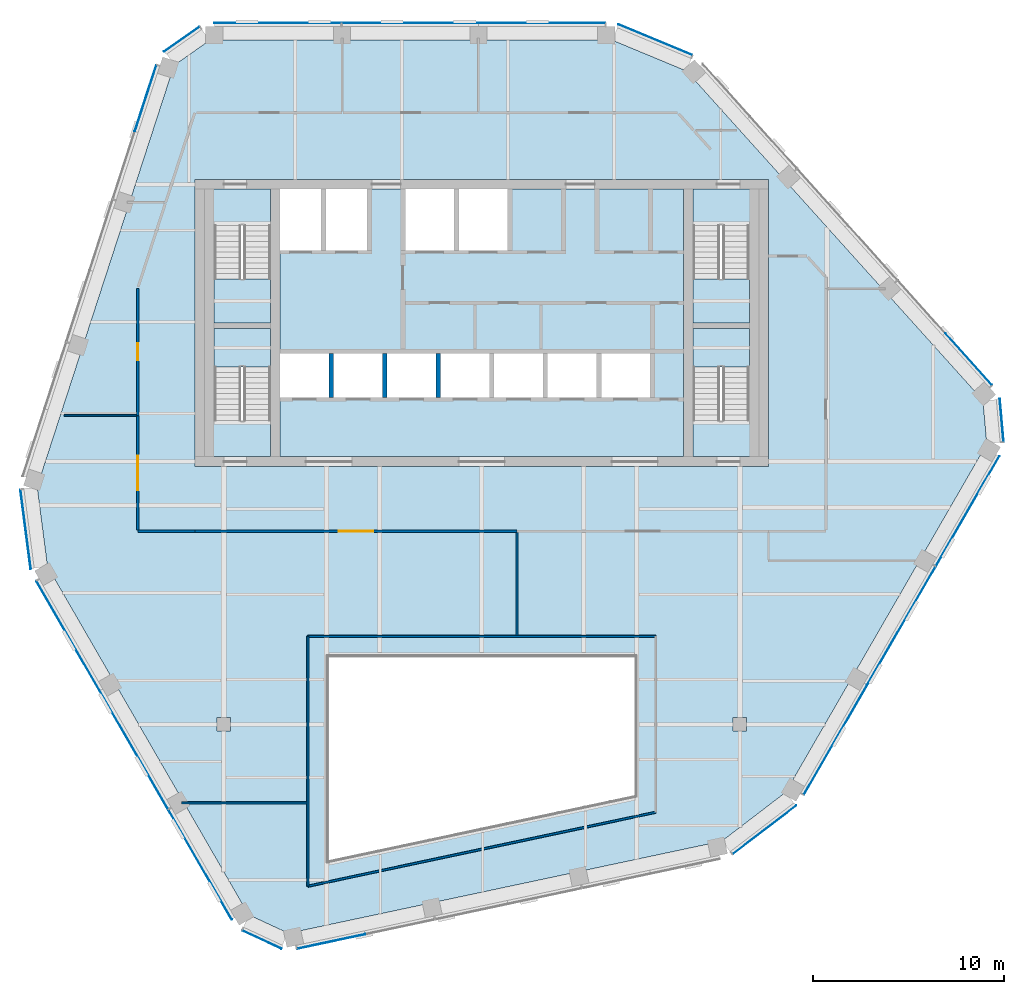
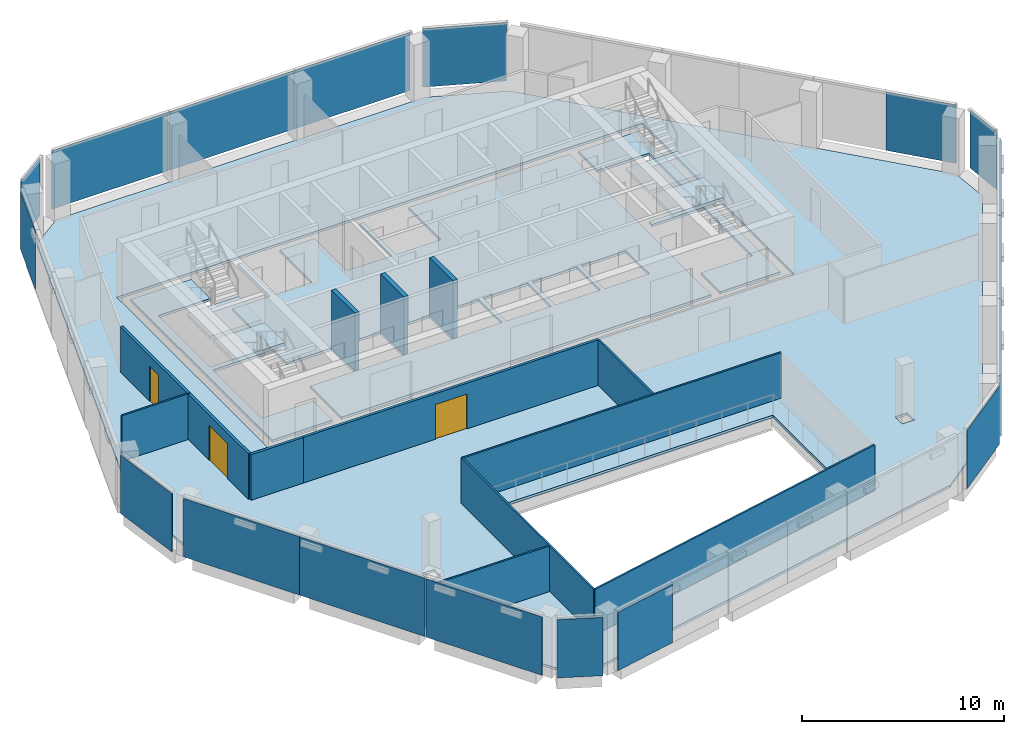
# One storey, part 7 of 15: 18 plates, 13 walls, 8 slabs, 3 doors, 3 openings, 16 elements without a shape of their own.
"""IFC4 building model written with IfcOpenShell, lengths in metres."""

from ifc_helpers import new_model, si_unit, direction, frame, frame_2d, origin, origin_2d, place, context, subcontext, project, spatial, polyline, rectangle, outline, extrude, material, layer, layer_set, type_object, element, fill, aggregate, save


model = new_model("IFC4")

# Units and contexts
model_context = context("Model", 3, precision=1e-05, world=origin(), true_north=direction((0.0, 1.0)))
body_context = subcontext(model_context, "Body", "Model", "MODEL_VIEW")
ifc_project = project(units=[si_unit("LENGTHUNIT", "METRE"), si_unit("AREAUNIT", "SQUARE_METRE"), si_unit("VOLUMEUNIT", "CUBIC_METRE"), si_unit("PLANEANGLEUNIT", "RADIAN"), si_unit("MASSUNIT", "GRAM", prefix="KILO")], contexts=[model_context])

# Site, building, storey
site_placement = place(None, origin())
site = spatial("IfcSite", under=ifc_project, at=site_placement, CompositionType="ELEMENT")
building_placement = place(site_placement, origin())
building = spatial("IfcBuilding", under=site, at=building_placement, Name="Isthmus Gate Tower", CompositionType="ELEMENT")
storey_placement = place(building_placement, frame((0.0, 0.0, 290.14990234375)))
storey = spatial("IfcBuildingStorey", under=building, at=storey_placement, Name="L74", CompositionType="ELEMENT", Elevation=290.14990234375)

# Slabs
ifc_material_1 = material(Name="Concrete f'c 40 MPa", Category="concrete")
ifc_layer_1 = layer(ifc_material_1, 0.14990234375)
ifc_layer_set_1 = layer_set([ifc_layer_1], Name="COMPOSITE FLOOR SLAB 150")
slab_type_1 = type_object("IfcSlabType", Name="COMPOSITE FLOOR SLAB 150", PredefinedType="FLOOR", material=ifc_layer_set_1)
slab_1_placement = place(storey_placement, frame((0.0, 0.0, -0.14990234375)))
element("IfcSlab", 1, at=slab_1_placement, inside=storey, type_object=slab_type_1, Name="str-slab-L74-1", PredefinedType="FLOOR", context=body_context, shape_type="SweptSolid", body=[
    extrude(outline(polyline([(10.7080078125, 20.68310546875), (26.218017578125, 3.45751953125), (26.423583984375, 1.1669921875), (15.902587890625, -17.055908203125), (12.55810546875, -19.614990234375), (-10.11474609375, -24.434326171875), (-12.201171875, -23.467041015625), (-22.72216796875, -5.243896484375), (-23.26611328125, -1.068115234375), (-16.103515625, 20.976806640625), (-14.22265625, 22.300048828125), (6.819580078125, 22.300048828125), (10.7080078125, 20.68310546875)]), holes=[polyline([(-8.0, -10.0), (-8.0, -20.611083984375), (8.0, -17.210205078125), (8.0, -10.0), (-8.0, -10.0)]), polyline([(-13.85009765625, -13.14990234375), (-13.85009765625, -13.85009765625), (-13.14990234375, -13.85009765625), (-13.14990234375, -13.14990234375), (-13.85009765625, -13.14990234375)]), polyline([(13.14990234375, -13.14990234375), (13.14990234375, -13.85009765625), (13.85009765625, -13.85009765625), (13.85009765625, -13.14990234375), (13.14990234375, -13.14990234375)]), polyline([(-15.0, 0.0), (15.0, 0.0), (15.0, 15.0), (-15.0, 15.0), (-15.0, 0.0)])]), origin(), (0.0, 0.0, 1.0), 0.14990234375),
])
ifc_material_2 = material(Name="Concrete f'c 40 MPa", Category="concrete")
ifc_layer_2 = layer(ifc_material_2, 0.14990234375)
ifc_layer_set_2 = layer_set([ifc_layer_2], Name="CORE FLOOR SLAB 150")
slab_type_2 = type_object("IfcSlabType", Name="CORE FLOOR SLAB 150", PredefinedType="FLOOR", material=ifc_layer_set_2)
slab_2_placement = place(storey_placement, frame((0.0, 0.0, -0.14990234375)))
element("IfcSlab", 2, at=slab_2_placement, inside=storey, type_object=slab_type_2, Name="L74 core floor", PredefinedType="FLOOR", context=body_context, shape_type="SweptSolid", body=[
    extrude(outline(polyline([(-11.050048828125, 0.5), (-11.050048828125, 2.402099609375), (-14.0, 2.402099609375), (-14.0, 7.199951171875), (-11.050048828125, 7.199951171875), (-11.050048828125, 7.5), (-14.0, 7.5), (-14.0, 12.597900390625), (-11.050048828125, 12.597900390625), (-11.050048828125, 14.5), (-14.5, 14.5), (-14.5, 0.5), (-11.050048828125, 0.5)])), origin(), (0.0, 0.0, 1.0), 0.14990234375),
])
slab_3_placement = place(storey_placement, frame((0.0, 0.0, -0.14990234375)))
element("IfcSlab", 3, at=slab_3_placement, inside=storey, type_object=slab_type_2, Name="L74 core floor", PredefinedType="FLOOR", context=body_context, shape_type="SweptSolid", body=[
    extrude(outline(polyline([(10.550048828125, 14.5), (1.35009765625, 14.5), (1.35009765625, 11.300048828125), (-1.199951171875, 11.300048828125), (-1.199951171875, 14.5), (-1.449951171875, 14.5), (-1.449951171875, 11.300048828125), (-4.0, 11.300048828125), (-4.0, 14.5), (-6.0, 14.5), (-6.0, 11.300048828125), (-8.14990234375, 11.300048828125), (-8.14990234375, 14.5), (-8.39990234375, 14.5), (-8.39990234375, 11.300048828125), (-10.550048828125, 11.300048828125), (-10.550048828125, 5.89990234375), (-8.0, 5.89990234375), (-8.0, 3.60009765625), (-10.550048828125, 3.60009765625), (-10.550048828125, 0.5), (10.550048828125, 0.5), (10.550048828125, 14.5)]), holes=[polyline([(-5.199951171875, 5.89990234375), (-5.199951171875, 3.60009765625), (-7.75, 3.60009765625), (-7.75, 5.89990234375), (-5.199951171875, 5.89990234375)]), polyline([(-2.39990234375, 5.89990234375), (-2.39990234375, 3.60009765625), (-4.949951171875, 3.60009765625), (-4.949951171875, 5.89990234375), (-2.39990234375, 5.89990234375)]), polyline([(0.39990234375, 5.89990234375), (0.39990234375, 3.60009765625), (-2.14990234375, 3.60009765625), (-2.14990234375, 5.89990234375), (0.39990234375, 5.89990234375)]), polyline([(3.199951171875, 5.89990234375), (3.199951171875, 3.60009765625), (0.64990234375, 3.60009765625), (0.64990234375, 5.89990234375), (3.199951171875, 5.89990234375)]), polyline([(6.0, 5.89990234375), (6.0, 3.60009765625), (3.449951171875, 3.60009765625), (3.449951171875, 5.89990234375), (6.0, 5.89990234375)]), polyline([(8.800048828125, 5.89990234375), (8.800048828125, 3.60009765625), (6.25, 3.60009765625), (6.25, 5.89990234375), (8.800048828125, 5.89990234375)])]), origin(), (0.0, 0.0, 1.0), 0.14990234375),
])
slab_4_placement = place(storey_placement, frame((0.0, 0.0, -0.14990234375)))
element("IfcSlab", 4, at=slab_4_placement, inside=storey, type_object=slab_type_2, Name="L74 core floor", PredefinedType="FLOOR", context=body_context, shape_type="SweptSolid", body=[
    extrude(outline(polyline([(11.050048828125, 14.5), (11.050048828125, 12.597900390625), (14.0, 12.597900390625), (14.0, 7.5), (11.050048828125, 7.5), (11.050048828125, 7.199951171875), (14.0, 7.199951171875), (14.0, 2.402099609375), (11.050048828125, 2.402099609375), (11.050048828125, 0.5), (14.5, 0.5), (14.5, 14.5), (11.050048828125, 14.5)])), origin(), (0.0, 0.0, 1.0), 0.14990234375),
])

# Curtain wall, plates
ifc_material_3 = material(Name="Aluminium, pale champagne anodised", Category="aluminium")
ifc_layer_3 = layer(ifc_material_3, 0.199951171875)
ifc_layer_set_3 = layer_set([ifc_layer_3], Name="CW-1 UNITISED CURTAIN WALL 200 DEEP")
curtain_wall_type = type_object("IfcCurtainWallType", Name="CW-1 UNITISED CURTAIN WALL 200 DEEP", PredefinedType="NOTDEFINED", material=ifc_layer_set_3)
curtain_wall_1_placement = place(storey_placement, origin())
curtain_wall_1 = element("IfcCurtainWall", 5, at=curtain_wall_1_placement, inside=storey, type_object=curtain_wall_type, Name="CW-1 N L74", PredefinedType="NOTDEFINED")
ifc_material_4 = material(Name="Laminated low-iron glass, pale blue tint", Category="glass")
ifc_layer_4 = layer(ifc_material_4, 0.031982421875)
ifc_layer_set_4 = layer_set([ifc_layer_4], Name="CW-1 CLEAR GLASS LITE 32")
plate_type = type_object("IfcPlateType", Name="CW-1 CLEAR GLASS LITE 32", PredefinedType="CURTAIN_PANEL", material=ifc_layer_set_4)
plate_1_placement = place(storey_placement, frame((3.13720703125, 23.18408203125, 0.0), z_axis=(0.0, 0.0, 1.0), x_axis=(-1.0, 0.0, 0.0)))
plate_1 = element("IfcPlate", 6, at=plate_1_placement, type_object=plate_type, Name="CW-1 glass lite", PredefinedType="CURTAIN_PANEL", context=body_context, shape_type="SweptSolid", body=[
    extrude(rectangle(XDim=6.62451171875, YDim=0.031982421875, at=origin_2d()), origin(), (0.0, 0.0, 1.0), 3.52001953125),
])
plate_2_placement = place(storey_placement, frame((-3.742431640625, 23.18408203125, 0.0), z_axis=(0.0, 0.0, 1.0), x_axis=(-1.0, 0.0, 0.0)))
plate_2 = element("IfcPlate", 7, at=plate_2_placement, type_object=plate_type, Name="CW-1 glass lite", PredefinedType="CURTAIN_PANEL", context=body_context, shape_type="SweptSolid", body=[
    extrude(rectangle(XDim=7.134521484375, YDim=0.031982421875, at=origin_2d()), origin(), (0.0, 0.0, 1.0), 3.52001953125),
])
plate_3_placement = place(storey_placement, frame((-10.681884765625, 23.18408203125, 0.0), z_axis=(0.0, 0.0, 1.0), x_axis=(-1.0, 0.0, 0.0)))
plate_3 = element("IfcPlate", 8, at=plate_3_placement, type_object=plate_type, Name="CW-1 glass lite", PredefinedType="CURTAIN_PANEL", context=body_context, shape_type="SweptSolid", body=[
    extrude(rectangle(XDim=6.62451171875, YDim=0.031982421875, at=origin_2d()), origin(), (0.0, 0.0, 1.0), 3.52001953125),
])
aggregate(curtain_wall_1, [plate_1, plate_2, plate_3])

# Curtain wall, plate
curtain_wall_2_placement = place(storey_placement, origin())
curtain_wall_2 = element("IfcCurtainWall", 9, at=curtain_wall_2_placement, inside=storey, type_object=curtain_wall_type, Name="CW-1 N-NW L74", PredefinedType="NOTDEFINED")
plate_4_placement = place(storey_placement, frame((-15.6953125, 22.3447265625, 0.0), z_axis=(0.0, 0.0, 1.0), x_axis=(-0.81785959165, -0.57541783805, 0.0)))
plate_4 = element("IfcPlate", 10, at=plate_4_placement, type_object=plate_type, Name="CW-1 glass lite", PredefinedType="CURTAIN_PANEL", context=body_context, shape_type="SweptSolid", body=[
    extrude(rectangle(XDim=2.258544921875, YDim=0.031982421875, at=origin_2d()), origin(), (0.0, 0.0, 1.0), 3.52001953125),
])
aggregate(curtain_wall_2, [plate_4])

curtain_wall_3_placement = place(storey_placement, origin())
curtain_wall_3 = element("IfcCurtainWall", 11, at=curtain_wall_3_placement, inside=storey, type_object=curtain_wall_type, Name="CW-1 NW L74", PredefinedType="NOTDEFINED")
plate_5_placement = place(storey_placement, frame((-17.592529296875, 19.254150390625, 0.0), z_axis=(0.0, 0.0, 1.0), x_axis=(-0.309016994375, -0.951056516295, 0.0)))
plate_5 = element("IfcPlate", 12, at=plate_5_placement, type_object=plate_type, Name="CW-1 glass lite", PredefinedType="CURTAIN_PANEL", context=body_context, shape_type="SweptSolid", body=[
    extrude(rectangle(XDim=3.643310546875, YDim=0.031982421875, at=origin_2d()), origin(), (0.0, 0.0, 1.0), 3.52001953125),
])
aggregate(curtain_wall_3, [plate_5])

curtain_wall_4_placement = place(storey_placement, origin())
curtain_wall_4 = element("IfcCurtainWall", 13, at=curtain_wall_4_placement, inside=storey, type_object=curtain_wall_type, Name="CW-1 NW-SW L74", PredefinedType="NOTDEFINED")
plate_6_placement = place(storey_placement, frame((-23.866943359375, -3.2998046875, 0.0), z_axis=(0.0, 0.0, 1.0), x_axis=(0.129164534, -0.991623175988, 0.0)))
plate_6 = element("IfcPlate", 14, at=plate_6_placement, type_object=plate_type, Name="CW-1 glass lite", PredefinedType="CURTAIN_PANEL", context=body_context, shape_type="SweptSolid", body=[
    extrude(rectangle(XDim=4.181396484375, YDim=0.031982421875, at=origin_2d()), origin(), (0.0, 0.0, 1.0), 3.52001953125),
])
aggregate(curtain_wall_4, [plate_6])

# Curtain wall, plates
curtain_wall_5_placement = place(storey_placement, origin())
curtain_wall_5 = element("IfcCurtainWall", 15, at=curtain_wall_5_placement, inside=storey, type_object=curtain_wall_type, Name="CW-1 SW L74", PredefinedType="NOTDEFINED")
plate_7_placement = place(storey_placement, frame((-21.646484375, -8.875244140625, 0.0), z_axis=(0.0, 0.0, 1.0), x_axis=(0.5, -0.866025403784, 0.0)))
plate_7 = element("IfcPlate", 16, at=plate_7_placement, type_object=plate_type, Name="CW-1 glass lite", PredefinedType="CURTAIN_PANEL", context=body_context, shape_type="SweptSolid", body=[
    extrude(rectangle(XDim=6.62451171875, YDim=0.031982421875, at=origin_2d()), origin(), (0.0, 0.0, 1.0), 3.52001953125),
])
plate_8_placement = place(storey_placement, frame((-18.206787109375, -14.8330078125, 0.0), z_axis=(0.0, 0.0, 1.0), x_axis=(0.5, -0.866025403784, 0.0)))
plate_8 = element("IfcPlate", 17, at=plate_8_placement, type_object=plate_type, Name="CW-1 glass lite", PredefinedType="CURTAIN_PANEL", context=body_context, shape_type="SweptSolid", body=[
    extrude(rectangle(XDim=7.134521484375, YDim=0.031982421875, at=origin_2d()), origin(), (0.0, 0.0, 1.0), 3.52001953125),
])
plate_9_placement = place(storey_placement, frame((-14.737060546875, -20.8427734375, 0.0), z_axis=(0.0, 0.0, 1.0), x_axis=(0.5, -0.866025403784, 0.0)))
plate_9 = element("IfcPlate", 18, at=plate_9_placement, type_object=plate_type, Name="CW-1 glass lite", PredefinedType="CURTAIN_PANEL", context=body_context, shape_type="SweptSolid", body=[
    extrude(rectangle(XDim=6.62451171875, YDim=0.031982421875, at=origin_2d()), origin(), (0.0, 0.0, 1.0), 3.52001953125),
])
aggregate(curtain_wall_5, [plate_7, plate_8, plate_9])

# Curtain wall, plate
curtain_wall_6_placement = place(storey_placement, origin())
curtain_wall_6 = element("IfcCurtainWall", 19, at=curtain_wall_6_placement, inside=storey, type_object=curtain_wall_type, Name="CW-1 SW-S L74", PredefinedType="NOTDEFINED")
plate_10_placement = place(storey_placement, frame((-11.50341796875, -24.764892578125, 0.0), z_axis=(0.0, 0.0, 1.0), x_axis=(0.907256261367, -0.420578264073, 0.0)))
plate_10 = element("IfcPlate", 20, at=plate_10_placement, type_object=plate_type, Name="CW-1 glass lite", PredefinedType="CURTAIN_PANEL", context=body_context, shape_type="SweptSolid", body=[
    extrude(rectangle(XDim=2.258544921875, YDim=0.031982421875, at=origin_2d()), origin(), (0.0, 0.0, 1.0), 3.52001953125),
])
aggregate(curtain_wall_6, [plate_10])

curtain_wall_7_placement = place(storey_placement, origin())
curtain_wall_7 = element("IfcCurtainWall", 21, at=curtain_wall_7_placement, inside=storey, type_object=curtain_wall_type, Name="CW-1 S L74", PredefinedType="NOTDEFINED")
plate_11_placement = place(storey_placement, frame((-7.87841796875, -24.86279296875, 0.0), z_axis=(0.0, 0.0, 1.0), x_axis=(0.978147600734, 0.207911690818, 0.0)))
plate_11 = element("IfcPlate", 22, at=plate_11_placement, type_object=plate_type, Name="CW-1 glass lite", PredefinedType="CURTAIN_PANEL", context=body_context, shape_type="SweptSolid", body=[
    extrude(rectangle(XDim=3.643310546875, YDim=0.031982421875, at=origin_2d()), origin(), (0.0, 0.0, 1.0), 3.52001953125),
])
aggregate(curtain_wall_7, [plate_11])

curtain_wall_8_placement = place(storey_placement, origin())
curtain_wall_8 = element("IfcCurtainWall", 23, at=curtain_wall_8_placement, inside=storey, type_object=curtain_wall_type, Name="CW-1 S-SE L74", PredefinedType="NOTDEFINED")
plate_12_placement = place(storey_placement, frame((14.791259765625, -19.01953125, 0.0), z_axis=(0.0, 0.0, 1.0), x_axis=(0.794188594387, 0.607671355706, 0.0)))
plate_12 = element("IfcPlate", 24, at=plate_12_placement, type_object=plate_type, Name="CW-1 glass lite", PredefinedType="CURTAIN_PANEL", context=body_context, shape_type="SweptSolid", body=[
    extrude(rectangle(XDim=4.181396484375, YDim=0.031982421875, at=origin_2d()), origin(), (0.0, 0.0, 1.0), 3.52001953125),
])
aggregate(curtain_wall_8, [plate_12])

# Curtain wall, plates
curtain_wall_9_placement = place(storey_placement, origin())
curtain_wall_9 = element("IfcCurtainWall", 25, at=curtain_wall_9_placement, inside=storey, type_object=curtain_wall_type, Name="CW-1 SE L74", PredefinedType="NOTDEFINED")
plate_13_placement = place(storey_placement, frame((18.50927734375, -14.308837890625, 0.0), z_axis=(0.0, 0.0, 1.0), x_axis=(0.5, 0.866025403784, 0.0)))
plate_13 = element("IfcPlate", 26, at=plate_13_placement, type_object=plate_type, Name="CW-1 glass lite", PredefinedType="CURTAIN_PANEL", context=body_context, shape_type="SweptSolid", body=[
    extrude(rectangle(XDim=6.62451171875, YDim=0.031982421875, at=origin_2d()), origin(), (0.0, 0.0, 1.0), 3.52001953125),
])
plate_14_placement = place(storey_placement, frame((21.94921875, -8.35107421875, 0.0), z_axis=(0.0, 0.0, 1.0), x_axis=(0.5, 0.866025403784, 0.0)))
plate_14 = element("IfcPlate", 27, at=plate_14_placement, type_object=plate_type, Name="CW-1 glass lite", PredefinedType="CURTAIN_PANEL", context=body_context, shape_type="SweptSolid", body=[
    extrude(rectangle(XDim=7.134521484375, YDim=0.031982421875, at=origin_2d()), origin(), (0.0, 0.0, 1.0), 3.52001953125),
])
plate_15_placement = place(storey_placement, frame((25.4189453125, -2.34130859375, 0.0), z_axis=(0.0, 0.0, 1.0), x_axis=(0.5, 0.866025403784, 0.0)))
plate_15 = element("IfcPlate", 28, at=plate_15_placement, type_object=plate_type, Name="CW-1 glass lite", PredefinedType="CURTAIN_PANEL", context=body_context, shape_type="SweptSolid", body=[
    extrude(rectangle(XDim=6.62451171875, YDim=0.031982421875, at=origin_2d()), origin(), (0.0, 0.0, 1.0), 3.52001953125),
])
aggregate(curtain_wall_9, [plate_13, plate_14, plate_15])

# Curtain wall, plate
curtain_wall_10_placement = place(storey_placement, origin())
curtain_wall_10 = element("IfcCurtainWall", 29, at=curtain_wall_10_placement, inside=storey, type_object=curtain_wall_type, Name="CW-1 SE-NE L74", PredefinedType="NOTDEFINED")
plate_16_placement = place(storey_placement, frame((27.19873046875, 2.420166015625, 0.0), z_axis=(0.0, 0.0, 1.0), x_axis=(-0.089396669717, 0.995996102123, 0.0)))
plate_16 = element("IfcPlate", 30, at=plate_16_placement, type_object=plate_type, Name="CW-1 glass lite", PredefinedType="CURTAIN_PANEL", context=body_context, shape_type="SweptSolid", body=[
    extrude(rectangle(XDim=2.258544921875, YDim=0.031982421875, at=origin_2d()), origin(), (0.0, 0.0, 1.0), 3.52001953125),
])
aggregate(curtain_wall_10, [plate_16])

curtain_wall_11_placement = place(storey_placement, origin())
curtain_wall_11 = element("IfcCurtainWall", 31, at=curtain_wall_11_placement, inside=storey, type_object=curtain_wall_type, Name="CW-1 NE L74", PredefinedType="NOTDEFINED")
plate_17_placement = place(storey_placement, frame((25.470947265625, 5.6083984375, 0.0), z_axis=(0.0, 0.0, 1.0), x_axis=(-0.669130606359, 0.743144825477, 0.0)))
plate_17 = element("IfcPlate", 32, at=plate_17_placement, type_object=plate_type, Name="CW-1 glass lite", PredefinedType="CURTAIN_PANEL", context=body_context, shape_type="SweptSolid", body=[
    extrude(rectangle(XDim=3.643310546875, YDim=0.031982421875, at=origin_2d()), origin(), (0.0, 0.0, 1.0), 3.52001953125),
])
aggregate(curtain_wall_11, [plate_17])

curtain_wall_12_placement = place(storey_placement, origin())
curtain_wall_12 = element("IfcCurtainWall", 33, at=curtain_wall_12_placement, inside=storey, type_object=curtain_wall_type, Name="CW-1 NE-N L74", PredefinedType="NOTDEFINED")
plate_18_placement = place(storey_placement, frame((9.07568359375, 22.3193359375, 0.0), z_axis=(0.0, 0.0, 1.0), x_axis=(-0.923353128387, 0.383951820282, 0.0)))
plate_18 = element("IfcPlate", 34, at=plate_18_placement, type_object=plate_type, Name="CW-1 glass lite", PredefinedType="CURTAIN_PANEL", context=body_context, shape_type="SweptSolid", body=[
    extrude(rectangle(XDim=4.181396484375, YDim=0.031982421875, at=origin_2d()), origin(), (0.0, 0.0, 1.0), 3.52001953125),
])
aggregate(curtain_wall_12, [plate_18])

# Stair, slab
ifc_material_5 = material(Name="Concrete f'c 40 MPa", Category="concrete")
stair_type = type_object("IfcStairType", Name="CORE STAIR 22 RISERS", PredefinedType="HALF_TURN_STAIR", material=ifc_material_5)
stair_1_placement = place(storey_placement, origin())
stair_1 = element("IfcStair", 35, at=stair_1_placement, inside=storey, type_object=stair_type, Name="L74 Exit Stair 1", PredefinedType="HALF_TURN_STAIR")
ifc_material_6 = material(Name="Concrete f'c 40 MPa", Category="concrete")
ifc_layer_5 = layer(ifc_material_6, 0.199951171875)
ifc_layer_set_5 = layer_set([ifc_layer_5])
slab_type_3 = type_object("IfcSlabType", Name="STAIR LANDING RC 200", PredefinedType="LANDING", material=ifc_layer_set_5)
slab_5_placement = place(storey_placement, frame((0.0, 0.0, 1.625)))
slab_5 = element("IfcSlab", 36, at=slab_5_placement, type_object=slab_type_3, Name="ST1 landing 1", PredefinedType="LANDING", context=body_context, shape_type="SweptSolid", body=[
    extrude(outline(polyline([(-14.0, 9.800048828125), (-14.0, 7.5), (-11.050048828125, 7.5), (-11.050048828125, 9.800048828125), (-14.0, 9.800048828125)])), origin(), (0.0, 0.0, 1.0), 0.2001953125),
])
aggregate(stair_1, [slab_5])

stair_2_placement = place(storey_placement, origin())
stair_2 = element("IfcStair", 37, at=stair_2_placement, inside=storey, type_object=stair_type, Name="L74 Exit Stair 2", PredefinedType="HALF_TURN_STAIR")
slab_6_placement = place(storey_placement, frame((0.0, 0.0, 1.625)))
slab_6 = element("IfcSlab", 38, at=slab_6_placement, type_object=slab_type_3, Name="ST2 landing 1", PredefinedType="LANDING", context=body_context, shape_type="SweptSolid", body=[
    extrude(outline(polyline([(11.050048828125, 9.800048828125), (11.050048828125, 7.5), (14.0, 7.5), (14.0, 9.800048828125), (11.050048828125, 9.800048828125)])), origin(), (0.0, 0.0, 1.0), 0.2001953125),
])
aggregate(stair_2, [slab_6])

stair_3_placement = place(storey_placement, origin())
stair_3 = element("IfcStair", 39, at=stair_3_placement, inside=storey, type_object=stair_type, Name="L74 Exit Stair 7", PredefinedType="HALF_TURN_STAIR")
slab_7_placement = place(storey_placement, frame((0.0, 0.0, 1.625)))
slab_7 = element("IfcSlab", 40, at=slab_7_placement, type_object=slab_type_3, Name="ST7 landing 1", PredefinedType="LANDING", context=body_context, shape_type="SweptSolid", body=[
    extrude(outline(polyline([(-11.050048828125, 5.199951171875), (-11.050048828125, 7.199951171875), (-14.0, 7.199951171875), (-14.0, 5.199951171875), (-11.050048828125, 5.199951171875)])), origin(), (0.0, 0.0, 1.0), 0.2001953125),
])
aggregate(stair_3, [slab_7])

stair_4_placement = place(storey_placement, origin())
stair_4 = element("IfcStair", 41, at=stair_4_placement, inside=storey, type_object=stair_type, Name="L74 Exit Stair 8", PredefinedType="HALF_TURN_STAIR")
slab_8_placement = place(storey_placement, frame((0.0, 0.0, 1.625)))
slab_8 = element("IfcSlab", 42, at=slab_8_placement, type_object=slab_type_3, Name="ST8 landing 1", PredefinedType="LANDING", context=body_context, shape_type="SweptSolid", body=[
    extrude(outline(polyline([(14.0, 5.199951171875), (14.0, 7.199951171875), (11.050048828125, 7.199951171875), (11.050048828125, 5.199951171875), (14.0, 5.199951171875)])), origin(), (0.0, 0.0, 1.0), 0.2001953125),
])
aggregate(stair_4, [slab_8])

# Walls
ifc_material_7 = material(Name="Fire-rated laminated glass in steel frame", Category="steel")
ifc_layer_6 = layer(ifc_material_7, 0.10009765625)
ifc_layer_set_6 = layer_set([ifc_layer_6], Name="ATRIUM SCREEN GLAZED WALL 100 120 MIN")
wall_type_1 = type_object("IfcWallType", Name="ATRIUM SCREEN GLAZED WALL 100 120 MIN", PredefinedType="PARTITIONING", material=ifc_layer_set_6)
wall_1_placement = place(storey_placement, frame((-9.10009765625, -8.89990234375, 0.0), z_axis=(0.0, 0.0, 1.0), x_axis=(1.0, 0.0, 0.0)))
element("IfcWall", 43, at=wall_1_placement, inside=storey, type_object=wall_type_1, Name="L74 atrium screen", PredefinedType="PARTITIONING", context=body_context, shape_type="SweptSolid", body=[
    extrude(rectangle(XDim=18.2001953125, YDim=0.10009765625, at=frame_2d((9.10009765625, 0.0))), origin(), (0.0, 0.0, 1.0), 2.750732421875),
])
wall_2_placement = place(storey_placement, frame((9.10009765625, -18.100830078125, 0.0), z_axis=(0.0, 0.0, 1.0), x_axis=(-0.978146710971, -0.207915876778, 0.0)))
element("IfcWall", 44, at=wall_2_placement, inside=storey, type_object=wall_type_1, Name="L74 atrium screen", PredefinedType="PARTITIONING", context=body_context, shape_type="SweptSolid", body=[
    extrude(rectangle(XDim=18.60693359375, YDim=0.10009765625, at=frame_2d((9.303466796875, 0.0))), origin(), (0.0, 0.0, 1.0), 2.750732421875),
])
wall_3_placement = place(storey_placement, frame((-9.10009765625, -21.969482421875, 0.0), z_axis=(0.0, 0.0, 1.0), x_axis=(0.0, 1.0, 0.0)))
element("IfcWall", 45, at=wall_3_placement, inside=storey, type_object=wall_type_1, Name="L74 atrium screen", PredefinedType="PARTITIONING", context=body_context, shape_type="SweptSolid", body=[
    extrude(rectangle(XDim=13.069580078125, YDim=0.10009765625, at=frame_2d((6.53466796875, 0.0))), origin(), (0.0, 0.0, 1.0), 2.750732421875),
])

# Wall, opening, door
ifc_material_8 = material(Name="Gypsum board on steel studs, fire-rated", Category="steel")
ifc_layer_7 = layer(ifc_material_8, 0.14990234375)
ifc_layer_set_7 = layer_set([ifc_layer_7], Name="CORRIDOR WALL 150 60 MIN")
wall_type_2 = type_object("IfcWallType", Name="CORRIDOR WALL 150 60 MIN", PredefinedType="PARTITIONING", material=ifc_layer_set_7)
wall_4_placement = place(storey_placement, frame((1.843994140625, -3.39990234375, 0.0), z_axis=(0.0, 0.0, 1.0), x_axis=(-1.0, 0.0, 0.0)))
wall_4 = element("IfcWall", 46, at=wall_4_placement, inside=storey, type_object=wall_type_2, Name="L74 Corridor Wall 150 60 Min", PredefinedType="PARTITIONING", context=body_context, shape_type="SweptSolid", body=[
    extrude(rectangle(XDim=16.843994140625, YDim=0.14990234375, at=frame_2d((8.421875, 0.0))), origin(), (0.0, 0.0, 1.0), 2.750732421875),
])
opening_1_placement = place(wall_4_placement, frame((7.52197265625, 0.0, 0.0)))
opening_1 = element("IfcOpeningElement", 47, at=opening_1_placement, cuts=wall_4, Name="Opening DT-T6C-07", PredefinedType="OPENING", context=body_context, shape_type="SweptSolid", body=[
    extrude(rectangle(XDim=1.800048828125, YDim=2.10009765625, at=frame_2d((0.89990234375, 1.050048828125))), frame((0.0, 0.0849609375, 0.0), z_axis=(0.0, -1.0, 0.0), x_axis=(1.0, 0.0, 0.0)), (0.0, 0.0, 1.0), 0.169921875),
])
ifc_material_9 = material(Name="Solid core timber door leaf, fire-rated", Category="wood")
door_type_1 = type_object("IfcDoorType", Name="FIRE DOOR ROOM 1800 X 2100 60 MIN", OperationType="DOUBLE_DOOR_DOUBLE_SWING", PredefinedType="DOOR", material=ifc_material_9)
door_1_placement = place(opening_1_placement, origin())
door_1 = element("IfcDoor", 48, at=door_1_placement, inside=storey, type_object=door_type_1, Name="L74 room door", OperationType="DOUBLE_DOOR_DOUBLE_SWING", OverallHeight=2.10009765625, OverallWidth=1.800048828125, PredefinedType="DOOR", context=body_context, shape_type="SweptSolid", body=[
    extrude(rectangle(XDim=1.800048828125, YDim=2.10009765625, at=frame_2d((0.89990234375, 1.050048828125))), frame((0.0, 0.02490234375, 0.0), z_axis=(0.0, -1.0, 0.0), x_axis=(1.0, 0.0, 0.0)), (0.0, 0.0, 1.0), 0.050048828125),
])
fill(opening_1, door_1)

# Wall
wall_5_placement = place(storey_placement, frame((-15.0, -3.39990234375, 0.0), z_axis=(0.0, 0.0, 1.0), x_axis=(-1.0, 0.0, 0.0)))
element("IfcWall", 49, at=wall_5_placement, inside=storey, type_object=wall_type_2, Name="L74 Corridor Wall 150 60 Min", PredefinedType="PARTITIONING", context=body_context, shape_type="SweptSolid", body=[
    extrude(rectangle(XDim=3.0, YDim=0.14990234375, at=frame_2d((1.5, 0.0))), origin(), (0.0, 0.0, 1.0), 2.750732421875),
])

# Wall, opening, door
wall_6_placement = place(storey_placement, frame((-18.0, 2.669921875, 0.0), z_axis=(0.0, 0.0, 1.0), x_axis=(0.0, 1.0, 0.0)))
wall_6 = element("IfcWall", 50, at=wall_6_placement, inside=storey, type_object=wall_type_2, Name="L74 Corridor Wall 150 60 Min", PredefinedType="PARTITIONING", context=body_context, shape_type="SweptSolid", body=[
    extrude(rectangle(XDim=6.64501953125, YDim=0.14990234375, at=frame_2d((3.322509765625, 0.0))), origin(), (0.0, 0.0, 1.0), 2.750732421875),
])
opening_2_placement = place(wall_6_placement, frame((2.87255859375, 0.0, 0.0)))
opening_2 = element("IfcOpeningElement", 51, at=opening_2_placement, cuts=wall_6, Name="Opening DT-T6C-05", PredefinedType="OPENING", context=body_context, shape_type="SweptSolid", body=[
    extrude(rectangle(XDim=0.89990234375, YDim=2.10009765625, at=frame_2d((0.449951171875, 1.050048828125))), frame((0.0, 0.0849609375, 0.0), z_axis=(0.0, -1.0, 0.0), x_axis=(1.0, 0.0, 0.0)), (0.0, 0.0, 1.0), 0.169921875),
])
ifc_material_10 = material(Name="Solid core timber door leaf, fire-rated", Category="wood")
door_type_2 = type_object("IfcDoorType", Name="FIRE DOOR ROOM 900 X 2100 60 MIN", OperationType="SINGLE_SWING_LEFT", PredefinedType="DOOR", material=ifc_material_10)
door_2_placement = place(opening_2_placement, origin())
door_2 = element("IfcDoor", 52, at=door_2_placement, inside=storey, type_object=door_type_2, Name="L74 room door", OperationType="SINGLE_SWING_RIGHT", OverallHeight=2.10009765625, OverallWidth=0.89990234375, PredefinedType="DOOR", context=body_context, shape_type="SweptSolid", body=[
    extrude(rectangle(XDim=0.89990234375, YDim=2.10009765625, at=frame_2d((0.449951171875, 1.050048828125))), frame((0.0, 0.02490234375, 0.0), z_axis=(0.0, -1.0, 0.0), x_axis=(1.0, 0.0, 0.0)), (0.0, 0.0, 1.0), 0.050048828125),
])
fill(opening_2, door_2)

wall_7_placement = place(storey_placement, frame((-18.0, -3.324951171875, 0.0), z_axis=(0.0, 0.0, 1.0), x_axis=(0.0, 1.0, 0.0)))
wall_7 = element("IfcWall", 53, at=wall_7_placement, inside=storey, type_object=wall_type_2, Name="L74 Corridor Wall 150 60 Min", PredefinedType="PARTITIONING", context=body_context, shape_type="SweptSolid", body=[
    extrude(rectangle(XDim=5.945068359375, YDim=0.14990234375, at=frame_2d((2.97265625, 0.0))), origin(), (0.0, 0.0, 1.0), 2.750732421875),
])
opening_3_placement = place(wall_7_placement, frame((2.072509765625, 0.0, 0.0)))
opening_3 = element("IfcOpeningElement", 54, at=opening_3_placement, cuts=wall_7, Name="Opening DT-T6C-08", PredefinedType="OPENING", context=body_context, shape_type="SweptSolid", body=[
    extrude(rectangle(XDim=1.800048828125, YDim=2.10009765625, at=frame_2d((0.89990234375, 1.050048828125))), frame((0.0, 0.0849609375, 0.0), z_axis=(0.0, -1.0, 0.0), x_axis=(1.0, 0.0, 0.0)), (0.0, 0.0, 1.0), 0.169921875),
])
door_3_placement = place(opening_3_placement, origin())
door_3 = element("IfcDoor", 55, at=door_3_placement, inside=storey, type_object=door_type_1, Name="L74 room door", OperationType="DOUBLE_DOOR_DOUBLE_SWING", OverallHeight=2.10009765625, OverallWidth=1.800048828125, PredefinedType="DOOR", context=body_context, shape_type="SweptSolid", body=[
    extrude(rectangle(XDim=1.800048828125, YDim=2.10009765625, at=frame_2d((0.89990234375, 1.050048828125))), frame((0.0, 0.02490234375, 0.0), z_axis=(0.0, -1.0, 0.0), x_axis=(1.0, 0.0, 0.0)), (0.0, 0.0, 1.0), 0.050048828125),
])
fill(opening_3, door_3)

# Walls
ifc_material_11 = material(Name="Gypsum board on steel studs, fire-rated", Category="steel")
ifc_layer_8 = layer(ifc_material_11, 0.10009765625)
ifc_layer_set_8 = layer_set([ifc_layer_8], Name="ROOM PARTITION 100 30 MIN")
wall_type_3 = type_object("IfcWallType", Name="ROOM PARTITION 100 30 MIN", PredefinedType="PARTITIONING", material=ifc_layer_set_8)
wall_8_placement = place(storey_placement, frame((-21.85693359375, 2.669921875, 0.0), z_axis=(0.0, 0.0, 1.0), x_axis=(1.0, 0.0, 0.0)))
element("IfcWall", 56, at=wall_8_placement, inside=storey, type_object=wall_type_3, Name="L74 Room Partition 100 30 Min", PredefinedType="PARTITIONING", context=body_context, shape_type="SweptSolid", body=[
    extrude(rectangle(XDim=3.781982421875, YDim=0.10009765625, at=frame_2d((1.89111328125, 0.0))), origin(), (0.0, 0.0, 1.0), 2.750732421875),
])
wall_9_placement = place(storey_placement, frame((-15.700927734375, -17.60498046875, 0.0), z_axis=(0.0, 0.0, 1.0), x_axis=(1.0, 0.0, 0.0)))
element("IfcWall", 57, at=wall_9_placement, inside=storey, type_object=wall_type_3, Name="L74 Room Partition 100 30 Min", PredefinedType="PARTITIONING", context=body_context, shape_type="SweptSolid", body=[
    extrude(rectangle(XDim=6.551025390625, YDim=0.10009765625, at=frame_2d((3.275390625, 0.0))), origin(), (0.0, 0.0, 1.0), 2.750732421875),
])
wall_10_placement = place(storey_placement, frame((1.843994140625, -8.85009765625, 0.0), z_axis=(0.0, 0.0, 1.0), x_axis=(0.0, 1.0, 0.0)))
element("IfcWall", 58, at=wall_10_placement, inside=storey, type_object=wall_type_3, Name="L74 Room Partition 100 30 Min", PredefinedType="PARTITIONING", context=body_context, shape_type="SweptSolid", body=[
    extrude(rectangle(XDim=5.375, YDim=0.10009765625, at=frame_2d((2.6875, 0.0))), origin(), (0.0, 0.0, 1.0), 2.750732421875),
])
ifc_material_12 = material(Name="Fire-rated blockwork masonry, 15 MPa", Category="masonry")
ifc_layer_9 = layer(ifc_material_12, 0.25)
ifc_layer_set_9 = layer_set([ifc_layer_9], Name="SHAFT WALL 250 120 MIN")
wall_type_4 = type_object("IfcWallType", Name="SHAFT WALL 250 120 MIN", PredefinedType="PARTITIONING", material=ifc_layer_set_9)
for number, where, z_axis, x_axis, name in (
    (59, (-7.875, 3.60009765625, 0.0), (0.0, 0.0, 1.0), (0.0, 1.0, 0.0), "L74 SHAFT WALL 250 120 MIN"),
    (60, (-5.074951171875, 3.60009765625, 0.0), (0.0, 0.0, 1.0), (0.0, 1.0, 0.0), "L74 SHAFT WALL 250 120 MIN"),
    (61, (-2.27490234375, 3.60009765625, 0.0), (0.0, 0.0, 1.0), (0.0, 1.0, 0.0), "L74 SHAFT WALL 250 120 MIN"),
):
    element("IfcWall", number, at=place(storey_placement, frame(where, z_axis=z_axis, x_axis=x_axis)), inside=storey, type_object=wall_type_4, Name=name, PredefinedType="PARTITIONING", context=body_context, shape_type="SweptSolid", body=[
        extrude(rectangle(XDim=2.2998046875, YDim=0.25, at=frame_2d((1.14990234375, 0.0))), origin(), (0.0, 0.0, 1.0), 3.5),
    ])

save(model, "model.ifc")
